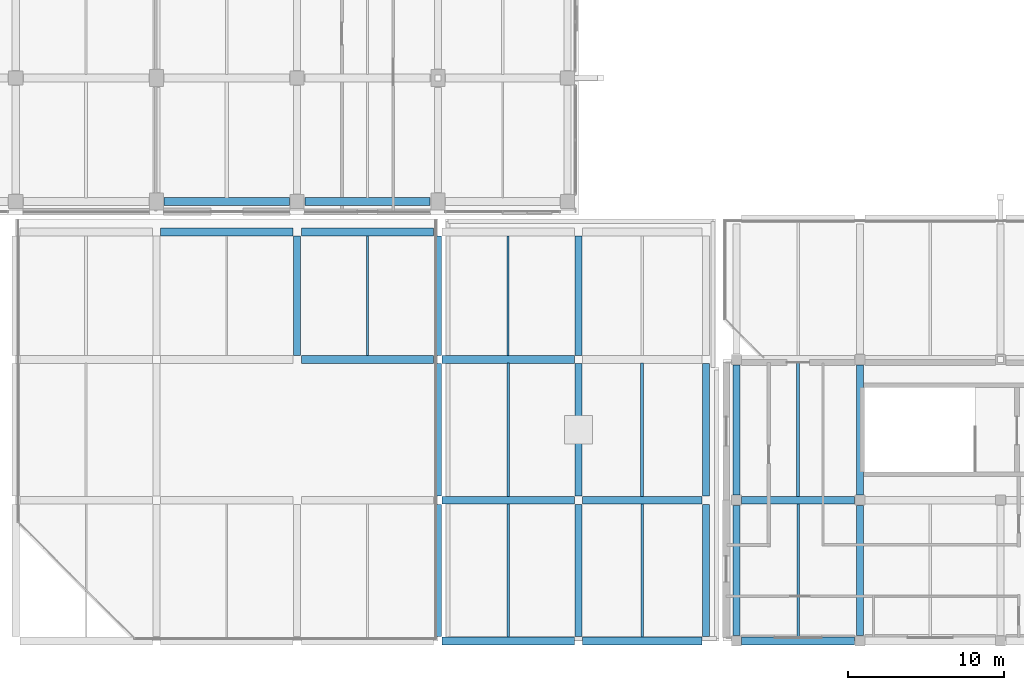
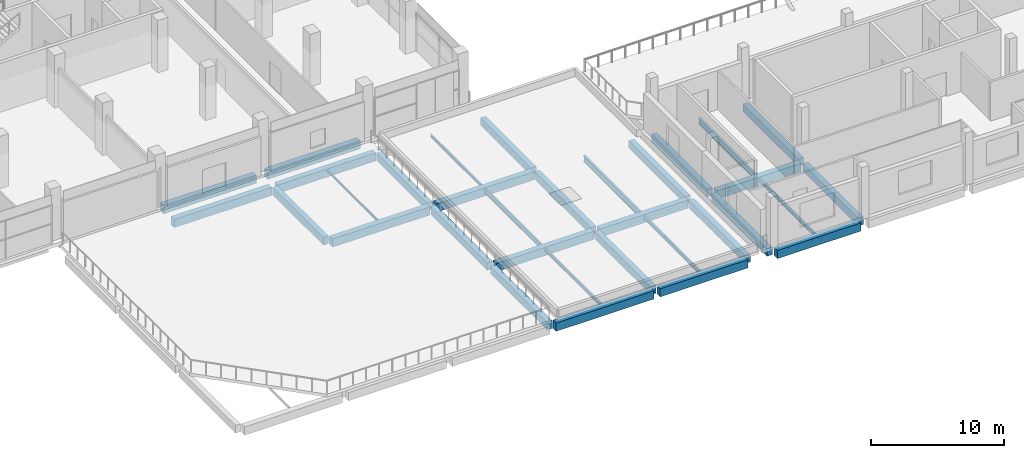
# One storey, part 5 of 82: 33 beams.
"""IFC4 building model written with IfcOpenShell, lengths in metres."""

from ifc_helpers import new_model, si_unit, direction, frame, origin, origin_2d, place, context, subcontext, project, spatial, rectangle, i_section, extrude, material, material_profile, profile_set, type_object, element, save


model = new_model("IFC4")

# Units and contexts
model_context = context("Model", 3, precision=1e-05, world=origin(), true_north=direction((0.0, 1.0)))
body_context = subcontext(model_context, "Body", "Model", "MODEL_VIEW")
ifc_project = project(units=[si_unit("LENGTHUNIT", "METRE"), si_unit("AREAUNIT", "SQUARE_METRE"), si_unit("VOLUMEUNIT", "CUBIC_METRE"), si_unit("PLANEANGLEUNIT", "RADIAN"), si_unit("MASSUNIT", "GRAM", prefix="KILO"), si_unit("THERMODYNAMICTEMPERATUREUNIT", "KELVIN"), si_unit("POWERUNIT", "WATT")], contexts=[model_context])

# Site, building, storey
site_placement = place(None, origin())
site = spatial("IfcSite", under=ifc_project, at=site_placement, CompositionType="ELEMENT")
building_placement = place(site_placement, origin())
building = spatial("IfcBuilding", under=site, at=building_placement, Name="Sindhuravela Promenade Stadium", CompositionType="ELEMENT")
storey_placement = place(building_placement, frame((0.0, 0.0, 14.39990234375)))
storey = spatial("IfcBuildingStorey", under=building, at=storey_placement, Name="L03", CompositionType="ELEMENT", Elevation=14.39990234375)

# Beams
ifc_material_1 = material(Name="Concrete M40", Category="concrete")
ifc_material_profile_1 = material_profile(ifc_material_1, rectangle(XDim=0.449951171875, YDim=0.699951171875, at=origin_2d()), Name="RC 450x700")
ifc_profile_set_1 = profile_set([ifc_material_profile_1], Name="Concrete M40")
beam_type_1 = type_object("IfcBeamType", Name="RC-BM-450x700", PredefinedType="BEAM", material=ifc_profile_set_1)
for number, where, z_axis, x_axis, name in (
    (1, (55.10009765625, 9.340087890625, -0.64990234375), (0.0, 1.0, 0.0), (-1.0, 0.0, 0.0), "Primary beam GB07 SOUTH L03"),
    (2, (55.10009765625, 18.340087890625, -0.64990234375), (0.0, 1.0, 0.0), (-1.0, 0.0, 0.0), "Primary beam GB07 SOUTH L03"),
    (3, (63.0, 9.340087890625, -0.64990234375), (0.0, 1.0, 0.0), (-1.0, 0.0, 0.0), "Primary beam GB07 SOUTH L03"),
    (4, (63.0, 18.340087890625, -0.64990234375), (0.0, 1.0, 0.0), (-1.0, 0.0, 0.0), "Primary beam GB07 SOUTH L03"),
):
    element("IfcBeam", number, at=place(storey_placement, frame(where, z_axis=z_axis, x_axis=x_axis)), inside=storey, type_object=beam_type_1, Name=name, PredefinedType="BEAM", context=body_context, shape_type="SweptSolid", body=[
        extrude(rectangle(XDim=0.449951171875, YDim=0.699951171875, at=origin_2d()), origin(), (0.0, 0.0, 1.0), 8.31982421875),
    ])
beam_1_placement = place(storey_placement, frame((27.0, 27.264892578125, -0.659912109375), z_axis=(0.0, 1.0, 0.0), x_axis=(-1.0, 0.0, 0.0)))
element("IfcBeam", 5, at=beam_1_placement, inside=storey, type_object=beam_type_1, Name="Primary beam GB07 Pavilion SW L03", PredefinedType="BEAM", context=body_context, shape_type="SweptSolid", body=[
    extrude(rectangle(XDim=0.449951171875, YDim=0.699951171875, at=origin_2d()), origin(), (0.0, 0.0, 1.0), 7.6201171875),
])
for number, where, z_axis, x_axis, name in (
    (6, (36.0, 9.264892578125, -0.659912109375), (0.0, 1.0, 0.0), (-1.0, 0.0, 0.0), "Primary beam GB07 Pavilion SW L03"),
    (7, (36.0, 18.264892578125, -0.659912109375), (0.0, 1.0, 0.0), (-1.0, 0.0, 0.0), "Primary beam GB07 Pavilion SW L03"),
):
    element("IfcBeam", number, at=place(storey_placement, frame(where, z_axis=z_axis, x_axis=x_axis)), inside=storey, type_object=beam_type_1, Name=name, PredefinedType="BEAM", context=body_context, shape_type="SweptSolid", body=[
        extrude(rectangle(XDim=0.449951171875, YDim=0.699951171875, at=origin_2d()), origin(), (0.0, 0.0, 1.0), 8.47021484375),
    ])
beam_2_placement = place(storey_placement, frame((36.0, 27.264892578125, -0.659912109375), z_axis=(0.0, 1.0, 0.0), x_axis=(-1.0, 0.0, 0.0)))
element("IfcBeam", 8, at=beam_2_placement, inside=storey, type_object=beam_type_1, Name="Primary beam GB07 Pavilion SW L03", PredefinedType="BEAM", context=body_context, shape_type="SweptSolid", body=[
    extrude(rectangle(XDim=0.449951171875, YDim=0.699951171875, at=origin_2d()), origin(), (0.0, 0.0, 1.0), 7.6201171875),
])
for number, where, z_axis, x_axis, name in (
    (9, (45.0, 9.264892578125, -0.594970703125), (0.0, 1.0, 0.0), (-1.0, 0.0, 0.0), "Primary beam GB07 Pavilion SW L03"),
    (10, (45.0, 18.264892578125, -0.594970703125), (0.0, 1.0, 0.0), (-1.0, 0.0, 0.0), "Primary beam GB07 Pavilion SW L03"),
):
    element("IfcBeam", number, at=place(storey_placement, frame(where, z_axis=z_axis, x_axis=x_axis)), inside=storey, type_object=beam_type_1, Name=name, PredefinedType="BEAM", context=body_context, shape_type="SweptSolid", body=[
        extrude(rectangle(XDim=0.449951171875, YDim=0.699951171875, at=origin_2d()), origin(), (0.0, 0.0, 1.0), 8.47021484375),
    ])
beam_3_placement = place(storey_placement, frame((45.0, 27.264892578125, -0.594970703125), z_axis=(0.0, 1.0, 0.0), x_axis=(-1.0, 0.0, 0.0)))
element("IfcBeam", 11, at=beam_3_placement, inside=storey, type_object=beam_type_1, Name="Primary beam GB07 Pavilion SW L03", PredefinedType="BEAM", context=body_context, shape_type="SweptSolid", body=[
    extrude(rectangle(XDim=0.449951171875, YDim=0.699951171875, at=origin_2d()), origin(), (0.0, 0.0, 1.0), 7.6201171875),
])
for number, where, z_axis, x_axis, name in (
    (12, (53.14990234375, 9.264892578125, -0.594970703125), (0.0, 1.0, 0.0), (-1.0, 0.0, 0.0), "Primary beam GB07 Pavilion SW L03"),
    (13, (53.14990234375, 18.264892578125, -0.594970703125), (0.0, 1.0, 0.0), (-1.0, 0.0, 0.0), "Primary beam GB07 Pavilion SW L03"),
):
    element("IfcBeam", number, at=place(storey_placement, frame(where, z_axis=z_axis, x_axis=x_axis)), inside=storey, type_object=beam_type_1, Name=name, PredefinedType="BEAM", context=body_context, shape_type="SweptSolid", body=[
        extrude(rectangle(XDim=0.449951171875, YDim=0.699951171875, at=origin_2d()), origin(), (0.0, 0.0, 1.0), 8.47021484375),
    ])
ifc_material_profile_2 = material_profile(ifc_material_1, rectangle(XDim=0.5, YDim=0.75, at=origin_2d()), Name="RC 500x750")
ifc_profile_set_2 = profile_set([ifc_material_profile_2], Name="Concrete M40")
beam_type_2 = type_object("IfcBeamType", Name="RC-BM-500x750", PredefinedType="BEAM", material=ifc_profile_set_2)
for number, where, z_axis, x_axis, name in (
    (14, (18.489990234375, 37.10009765625, -0.6748046875), (1.0, 0.0, 0.0), (0.0, 1.0, 0.0), "Primary girder GB06 WEST L03"),
    (15, (27.489990234375, 37.10009765625, -0.6748046875), (1.0, 0.0, 0.0), (0.0, 1.0, 0.0), "Primary girder GB06 WEST L03"),
):
    element("IfcBeam", number, at=place(storey_placement, frame(where, z_axis=z_axis, x_axis=x_axis)), inside=storey, type_object=beam_type_2, Name=name, PredefinedType="BEAM", context=body_context, shape_type="SweptSolid", body=[
        extrude(rectangle(XDim=0.5, YDim=0.75, at=origin_2d()), origin(), (0.0, 0.0, 1.0), 8.02001953125),
    ])
for number, where, z_axis, x_axis, name in (
    (16, (55.43994140625, 9.0, -0.6748046875), (1.0, 0.0, 0.0), (0.0, 1.0, 0.0), "Primary girder GB06 SOUTH L03"),
    (17, (55.43994140625, 18.0, -0.6748046875), (1.0, 0.0, 0.0), (0.0, 1.0, 0.0), "Primary girder GB06 SOUTH L03"),
):
    element("IfcBeam", number, at=place(storey_placement, frame(where, z_axis=z_axis, x_axis=x_axis)), inside=storey, type_object=beam_type_2, Name=name, PredefinedType="BEAM", context=body_context, shape_type="SweptSolid", body=[
        extrude(rectangle(XDim=0.5, YDim=0.75, at=origin_2d()), origin(), (0.0, 0.0, 1.0), 7.219970703125),
    ])
beam_4_placement = place(storey_placement, frame((36.264892578125, 9.0, -0.619873046875), z_axis=(1.0, 0.0, 0.0), x_axis=(0.0, 1.0, 0.0)))
element("IfcBeam", 18, at=beam_4_placement, inside=storey, type_object=beam_type_2, Name="Primary girder GB06 Pavilion SW L03", PredefinedType="BEAM", context=body_context, shape_type="SweptSolid", body=[
    extrude(rectangle(XDim=0.5, YDim=0.75, at=origin_2d()), origin(), (0.0, 0.0, 1.0), 8.47021484375),
])
beam_5_placement = place(storey_placement, frame((45.264892578125, 9.0, -0.619873046875), z_axis=(1.0, 0.0, 0.0), x_axis=(0.0, 1.0, 0.0)))
element("IfcBeam", 19, at=beam_5_placement, inside=storey, type_object=beam_type_2, Name="Primary girder GB06 Pavilion SW L03", PredefinedType="BEAM", context=body_context, shape_type="SweptSolid", body=[
    extrude(rectangle(XDim=0.5, YDim=0.75, at=origin_2d()), origin(), (0.0, 0.0, 1.0), 7.6201171875),
])
beam_6_placement = place(storey_placement, frame((36.264892578125, 18.0, -0.619873046875), z_axis=(1.0, 0.0, 0.0), x_axis=(0.0, 1.0, 0.0)))
element("IfcBeam", 20, at=beam_6_placement, inside=storey, type_object=beam_type_2, Name="Primary girder GB06 Pavilion SW L03", PredefinedType="BEAM", context=body_context, shape_type="SweptSolid", body=[
    extrude(rectangle(XDim=0.5, YDim=0.75, at=origin_2d()), origin(), (0.0, 0.0, 1.0), 8.47021484375),
])
beam_7_placement = place(storey_placement, frame((45.264892578125, 18.0, -0.619873046875), z_axis=(1.0, 0.0, 0.0), x_axis=(0.0, 1.0, 0.0)))
element("IfcBeam", 21, at=beam_7_placement, inside=storey, type_object=beam_type_2, Name="Primary girder GB06 Pavilion SW L03", PredefinedType="BEAM", context=body_context, shape_type="SweptSolid", body=[
    extrude(rectangle(XDim=0.5, YDim=0.75, at=origin_2d()), origin(), (0.0, 0.0, 1.0), 7.6201171875),
])
for number, where, z_axis, x_axis, name in (
    (22, (27.264892578125, 27.0, -0.684814453125), (1.0, 0.0, 0.0), (0.0, 1.0, 0.0), "Primary girder GB06 Pavilion SW L03"),
    (23, (36.264892578125, 27.0, -0.619873046875), (1.0, 0.0, 0.0), (0.0, 1.0, 0.0), "Primary girder GB06 Pavilion SW L03"),
    (24, (18.264892578125, 35.14990234375, -0.684814453125), (1.0, 0.0, 0.0), (0.0, 1.0, 0.0), "Primary girder GB06 Pavilion SW L03"),
    (25, (27.264892578125, 35.14990234375, -0.684814453125), (1.0, 0.0, 0.0), (0.0, 1.0, 0.0), "Primary girder GB06 Pavilion SW L03"),
):
    element("IfcBeam", number, at=place(storey_placement, frame(where, z_axis=z_axis, x_axis=x_axis)), inside=storey, type_object=beam_type_2, Name=name, PredefinedType="BEAM", context=body_context, shape_type="SweptSolid", body=[
        extrude(rectangle(XDim=0.5, YDim=0.75, at=origin_2d()), origin(), (0.0, 0.0, 1.0), 8.47021484375),
    ])
ifc_material_2 = material(Name="Steel E350 (IS 2062 E350BR)", Category="steel")
ifc_material_profile_3 = material_profile(ifc_material_2, i_section(OverallWidth=0.10009765625, OverallDepth=0.199951171875, WebThickness=0.005615234375, FlangeThickness=0.0107421875, FilletRadius=0.010986328125, at=origin_2d()), Name="ISMB 200")
ifc_profile_set_3 = profile_set([ifc_material_profile_3], Name="Steel E350 (IS 2062 E350BR)")
beam_type_3 = type_object("IfcBeamType", Name="ST-BM-MB200", PredefinedType="JOIST", material=ifc_profile_set_3)
beam_8_placement = place(storey_placement, frame((31.5, 27.239990234375, -0.409912109375), z_axis=(0.0, 1.0, 0.0), x_axis=(-1.0, 0.0, 0.0)))
element("IfcBeam", 26, at=beam_8_placement, inside=storey, type_object=beam_type_3, Name="Secondary floor joist SB01 Pavilion SW L03", PredefinedType="JOIST", context=body_context, shape_type="SweptSolid", body=[
    extrude(i_section(OverallWidth=0.10009765625, OverallDepth=0.199951171875, WebThickness=0.005615234375, FlangeThickness=0.0107421875, FilletRadius=0.010986328125, at=origin_2d()), origin(), (0.0, 0.0, 1.0), 7.669921875),
])
ifc_material_profile_4 = material_profile(ifc_material_2, i_section(OverallWidth=0.125, OverallDepth=0.25, WebThickness=0.0068359375, FlangeThickness=0.012451171875, FilletRadius=0.012939453125, at=origin_2d()), Name="ISMB 250")
ifc_profile_set_4 = profile_set([ifc_material_profile_4], Name="Steel E350 (IS 2062 E350BR)")
beam_type_4 = type_object("IfcBeamType", Name="ST-BM-MB250", PredefinedType="JOIST", material=ifc_profile_set_4)
beam_9_placement = place(storey_placement, frame((40.5, 27.239990234375, -0.369873046875), z_axis=(0.0, 1.0, 0.0), x_axis=(-1.0, 0.0, 0.0)))
element("IfcBeam", 27, at=beam_9_placement, inside=storey, type_object=beam_type_4, Name="Secondary floor joist SB02 Pavilion SW L03", PredefinedType="JOIST", context=body_context, shape_type="SweptSolid", body=[
    extrude(i_section(OverallWidth=0.125, OverallDepth=0.25, WebThickness=0.0068359375, FlangeThickness=0.012451171875, FilletRadius=0.012939453125, at=origin_2d()), origin(), (0.0, 0.0, 1.0), 7.669921875),
])
ifc_material_profile_5 = material_profile(ifc_material_2, i_section(OverallWidth=0.139892578125, OverallDepth=0.300048828125, WebThickness=0.0078125, FlangeThickness=0.01318359375, FilletRadius=0.013916015625, at=origin_2d()), Name="ISMB 300")
ifc_profile_set_5 = profile_set([ifc_material_profile_5], Name="Steel E350 (IS 2062 E350BR)")
beam_type_5 = type_object("IfcBeamType", Name="ST-BM-MB300", PredefinedType="JOIST", material=ifc_profile_set_5)
beam_10_placement = place(storey_placement, frame((40.5, 9.239990234375, -0.39501953125), z_axis=(0.0, 1.0, 0.0), x_axis=(-1.0, 0.0, 0.0)))
element("IfcBeam", 28, at=beam_10_placement, inside=storey, type_object=beam_type_5, Name="Secondary floor joist SB03 Pavilion SW L03", PredefinedType="JOIST", context=body_context, shape_type="SweptSolid", body=[
    extrude(i_section(OverallWidth=0.139892578125, OverallDepth=0.300048828125, WebThickness=0.0078125, FlangeThickness=0.01318359375, FilletRadius=0.013916015625, at=origin_2d()), origin(), (0.0, 0.0, 1.0), 8.52001953125),
])
ifc_material_profile_6 = material_profile(ifc_material_2, i_section(OverallWidth=0.139892578125, OverallDepth=0.35009765625, WebThickness=0.008056640625, FlangeThickness=0.01416015625, FilletRadius=0.013916015625, at=origin_2d()), Name="ISMB 350")
ifc_profile_set_6 = profile_set([ifc_material_profile_6], Name="Steel E350 (IS 2062 E350BR)")
beam_type_6 = type_object("IfcBeamType", Name="ST-BM-MB350", PredefinedType="JOIST", material=ifc_profile_set_6)
for number, where, z_axis, x_axis, name in (
    (29, (59.050048828125, 9.239990234375, -0.474853515625), (0.0, 1.0, 0.0), (-1.0, 0.0, 0.0), "Secondary floor joist SB04 SOUTH L03"),
    (30, (49.074951171875, 9.239990234375, -0.419921875), (0.0, 1.0, 0.0), (-1.0, 0.0, 0.0), "Secondary floor joist SB04 Pavilion SW L03"),
):
    element("IfcBeam", number, at=place(storey_placement, frame(where, z_axis=z_axis, x_axis=x_axis)), inside=storey, type_object=beam_type_6, Name=name, PredefinedType="JOIST", context=body_context, shape_type="SweptSolid", body=[
        extrude(i_section(OverallWidth=0.139892578125, OverallDepth=0.35009765625, WebThickness=0.008056640625, FlangeThickness=0.01416015625, FilletRadius=0.013916015625, at=origin_2d()), origin(), (0.0, 0.0, 1.0), 8.52001953125),
    ])
ifc_material_profile_7 = material_profile(ifc_material_2, i_section(OverallWidth=0.14990234375, OverallDepth=0.449951171875, WebThickness=0.009521484375, FlangeThickness=0.017333984375, FilletRadius=0.014892578125, at=origin_2d()), Name="ISMB 450")
ifc_profile_set_7 = profile_set([ifc_material_profile_7], Name="Steel E350 (IS 2062 E350BR)")
beam_type_7 = type_object("IfcBeamType", Name="ST-BM-MB450", PredefinedType="BEAM", material=ifc_profile_set_7)
beam_11_placement = place(storey_placement, frame((40.5, 18.239990234375, -0.469970703125), z_axis=(0.0, 1.0, 0.0), x_axis=(-1.0, 0.0, 0.0)))
element("IfcBeam", 31, at=beam_11_placement, inside=storey, type_object=beam_type_7, Name="Secondary floor joist SB06 Pavilion SW L03", PredefinedType="BEAM", context=body_context, shape_type="SweptSolid", body=[
    extrude(i_section(OverallWidth=0.14990234375, OverallDepth=0.449951171875, WebThickness=0.009521484375, FlangeThickness=0.017333984375, FilletRadius=0.014892578125, at=origin_2d()), origin(), (0.0, 0.0, 1.0), 8.52001953125),
])
ifc_material_profile_8 = material_profile(ifc_material_2, i_section(OverallWidth=0.18994140625, OverallDepth=0.550048828125, WebThickness=0.01123046875, FlangeThickness=0.019287109375, FilletRadius=0.01806640625, at=origin_2d()), Name="ISMB 550")
ifc_profile_set_8 = profile_set([ifc_material_profile_8], Name="Steel E350 (IS 2062 E350BR)")
beam_type_8 = type_object("IfcBeamType", Name="ST-BM-MB550", PredefinedType="SPANDREL", material=ifc_profile_set_8)
for number, where, z_axis, x_axis, name in (
    (32, (59.050048828125, 18.239990234375, -0.574951171875), (0.0, 1.0, 0.0), (-1.0, 0.0, 0.0), "Secondary floor joist SB08 SOUTH L03"),
    (33, (49.074951171875, 18.239990234375, -0.52001953125), (0.0, 1.0, 0.0), (-1.0, 0.0, 0.0), "Secondary floor joist SB08 Pavilion SW L03"),
):
    element("IfcBeam", number, at=place(storey_placement, frame(where, z_axis=z_axis, x_axis=x_axis)), inside=storey, type_object=beam_type_8, Name=name, PredefinedType="SPANDREL", context=body_context, shape_type="SweptSolid", body=[
        extrude(i_section(OverallWidth=0.18994140625, OverallDepth=0.550048828125, WebThickness=0.01123046875, FlangeThickness=0.019287109375, FilletRadius=0.01806640625, at=origin_2d()), origin(), (0.0, 0.0, 1.0), 8.52001953125),
    ])

save(model, "model.ifc")
